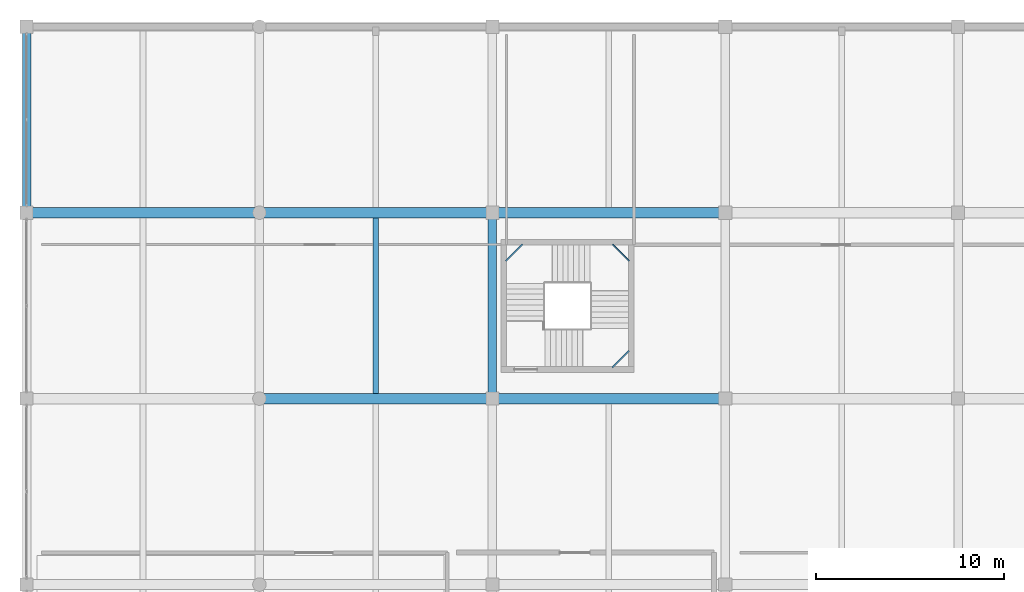
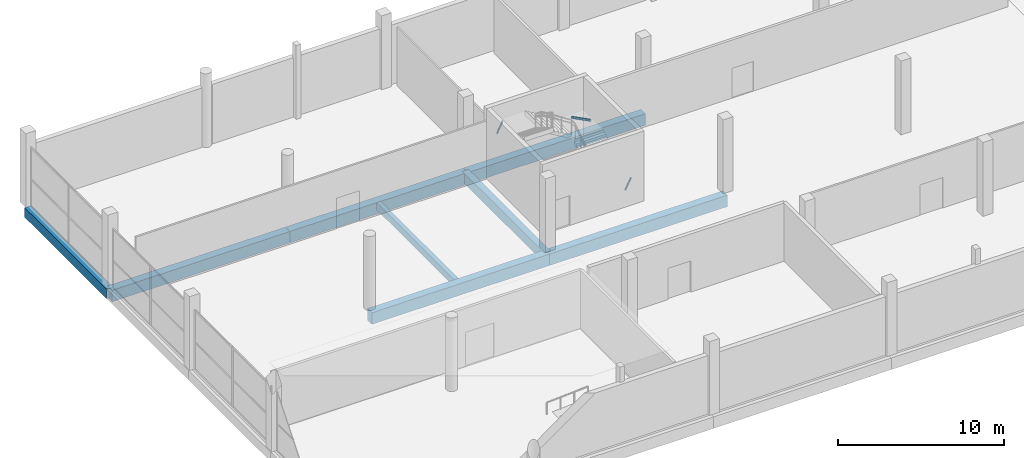
# One storey, part 26 of 72: 11 beams.
"""IFC4 building model written with IfcOpenShell, lengths in metres."""

from ifc_helpers import new_model, si_unit, direction, frame, origin, origin_2d, place, context, subcontext, project, spatial, rectangle, hollow_rectangle, extrude, material, material_profile, profile_set, type_object, element, save


model = new_model("IFC4")

# Units and contexts
model_context = context("Model", 3, precision=1e-05, world=origin(), true_north=direction((0.0, 1.0)))
body_context = subcontext(model_context, "Body", "Model", "MODEL_VIEW")
ifc_project = project(units=[si_unit("LENGTHUNIT", "METRE"), si_unit("AREAUNIT", "SQUARE_METRE"), si_unit("VOLUMEUNIT", "CUBIC_METRE"), si_unit("PLANEANGLEUNIT", "RADIAN"), si_unit("MASSUNIT", "GRAM", prefix="KILO")], contexts=[model_context])

# Site, building, storey
site_placement = place(None, origin())
site = spatial("IfcSite", under=ifc_project, at=site_placement, CompositionType="ELEMENT")
building_placement = place(site_placement, origin())
building = spatial("IfcBuilding", under=site, at=building_placement, Name="Sillaruma Civic Art Gallery", CompositionType="ELEMENT")
storey_placement = place(building_placement, frame((0.0, 0.0, 10.8798828125)))
storey = spatial("IfcBuildingStorey", under=building, at=storey_placement, Name="L02", CompositionType="ELEMENT", Elevation=10.8798828125)

# Beams
ifc_material_1 = material(Name="Concrete H40 (40 MPa)", Category="concrete")
ifc_material_profile_1 = material_profile(ifc_material_1, rectangle(XDim=0.449951171875, YDim=0.75, at=origin_2d()), Name="RCB450x750")
ifc_profile_set_1 = profile_set([ifc_material_profile_1], Name="Concrete H40 (40 MPa)")
beam_type_1 = type_object("IfcBeamType", Name="BM-BEAM-RCB450x750", PredefinedType="BEAM", material=ifc_profile_set_1)
beam_1_placement = place(storey_placement, frame((24.800048828125, 99.0, -0.634765625), z_axis=(0.0, 1.0, 0.0), x_axis=(-1.0, 0.0, 0.0)))
element("IfcBeam", 1, at=beam_1_placement, inside=storey, type_object=beam_type_1, Name="Beam BM-03 (L01:C:11-12)", PredefinedType="BEAM", context=body_context, shape_type="SweptSolid", body=[
    extrude(rectangle(XDim=0.449951171875, YDim=0.75, at=origin_2d()), origin(), (0.0, 0.0, 1.0), 9.89990234375),
])
ifc_material_profile_2 = material_profile(ifc_material_1, rectangle(XDim=0.550048828125, YDim=0.85009765625, at=origin_2d()), Name="RCB550x850")
ifc_profile_set_2 = profile_set([ifc_material_profile_2], Name="Concrete H40 (40 MPa)")
beam_type_2 = type_object("IfcBeamType", Name="BM-BEAM-RCB550x850", PredefinedType="BEAM", material=ifc_profile_set_2)
beam_2_placement = place(storey_placement, frame((12.39990234375, 99.0, -0.684814453125), z_axis=(1.0, 0.0, 0.0), x_axis=(0.0, 1.0, 0.0)))
element("IfcBeam", 2, at=beam_2_placement, inside=storey, type_object=beam_type_2, Name="Beam BM-01 (L01:11:B-C)", PredefinedType="BEAM", context=body_context, shape_type="SweptSolid", body=[
    extrude(rectangle(XDim=0.550048828125, YDim=0.85009765625, at=origin_2d()), origin(), (0.0, 0.0, 1.0), 12.400146484375),
])
for number, where, z_axis, x_axis, name in (
    (3, (24.800048828125, 99.0, -0.684814453125), (1.0, 0.0, 0.0), (0.0, 1.0, 0.0), "Beam BM-01 (L01:11:C-D)"),
    (4, (0.0, 108.89990234375, -0.684814453125), (1.0, 0.0, 0.0), (0.0, 1.0, 0.0), "Beam BM-01 (L01:12:A-B)"),
):
    element("IfcBeam", number, at=place(storey_placement, frame(where, z_axis=z_axis, x_axis=x_axis)), inside=storey, type_object=beam_type_2, Name=name, PredefinedType="BEAM", context=body_context, shape_type="SweptSolid", body=[
        extrude(rectangle(XDim=0.550048828125, YDim=0.85009765625, at=origin_2d()), origin(), (0.0, 0.0, 1.0), 12.39990234375),
    ])
beam_3_placement = place(storey_placement, frame((12.39990234375, 108.89990234375, -0.684814453125), z_axis=(1.0, 0.0, 0.0), x_axis=(0.0, 1.0, 0.0)))
element("IfcBeam", 5, at=beam_3_placement, inside=storey, type_object=beam_type_2, Name="Beam BM-01 (L01:12:B-C)", PredefinedType="BEAM", context=body_context, shape_type="SweptSolid", body=[
    extrude(rectangle(XDim=0.550048828125, YDim=0.85009765625, at=origin_2d()), origin(), (0.0, 0.0, 1.0), 12.400146484375),
])
beam_4_placement = place(storey_placement, frame((24.800048828125, 108.89990234375, -0.684814453125), z_axis=(1.0, 0.0, 0.0), x_axis=(0.0, 1.0, 0.0)))
element("IfcBeam", 6, at=beam_4_placement, inside=storey, type_object=beam_type_2, Name="Beam BM-01 (L01:12:C-D)", PredefinedType="BEAM", context=body_context, shape_type="SweptSolid", body=[
    extrude(rectangle(XDim=0.550048828125, YDim=0.85009765625, at=origin_2d()), origin(), (0.0, 0.0, 1.0), 12.39990234375),
])
ifc_material_2 = material(Name="Concrete H35 (35 MPa)", Category="concrete")
ifc_material_profile_3 = material_profile(ifc_material_2, rectangle(XDim=0.300048828125, YDim=0.52001953125, at=origin_2d()), Name="RCB300x520")
ifc_profile_set_3 = profile_set([ifc_material_profile_3], Name="Concrete H35 (35 MPa)")
beam_type_3 = type_object("IfcBeamType", Name="BM-JOIST-RCB300x520", PredefinedType="JOIST", material=ifc_profile_set_3)
beam_5_placement = place(storey_placement, frame((18.60009765625, 99.27490234375, -0.519775390625), z_axis=(0.0, 1.0, 0.0), x_axis=(-1.0, 0.0, 0.0)))
element("IfcBeam", 7, at=beam_5_placement, inside=storey, type_object=beam_type_3, Name="Floor Joist JR-01 (L01:BC:11-12)", PredefinedType="JOIST", context=body_context, shape_type="SweptSolid", body=[
    extrude(rectangle(XDim=0.300048828125, YDim=0.52001953125, at=origin_2d()), origin(), (0.0, 0.0, 1.0), 9.35009765625),
])
ifc_material_3 = material(Name="Structural Steel ASTM A500 Gr.C", Category="steel")
ifc_material_profile_4 = material_profile(ifc_material_3, hollow_rectangle(XDim=0.080078125, YDim=0.159912109375, WallThickness=0.008056640625, InnerFilletRadius=0.008056640625, OuterFilletRadius=0.01611328125, at=origin_2d()), Name="HSS160x80x8")
ifc_profile_set_4 = profile_set([ifc_material_profile_4], Name="Structural Steel ASTM A500 Gr.C")
beam_type_4 = type_object("IfcBeamType", Name="BM-LND-HSS160", PredefinedType="BEAM", material=ifc_profile_set_4)
for number, where, z_axis, x_axis, name in (
    (8, (31.18994140625, 100.659912109375, 1.080078125), (0.707106781187, 0.707106781187, 0.0), (-0.707106781187, 0.707106781187, 0.0), "Stair Corner Landing Trimmer Beam (ST-01-L02-1)"),
    (9, (31.18994140625, 107.219970703125, 2.440185546875), (0.707203758046, -0.707009791025, 0.0), (0.707009791025, 0.707203758046, 0.0), "Stair Corner Landing Trimmer Beam (ST-01-L02-2)"),
):
    element("IfcBeam", number, at=place(storey_placement, frame(where, z_axis=z_axis, x_axis=x_axis)), inside=storey, type_object=beam_type_4, Name=name, PredefinedType="BEAM", context=body_context, shape_type="SweptSolid", body=[
        extrude(hollow_rectangle(XDim=0.080078125, YDim=0.159912109375, WallThickness=0.008056640625, InnerFilletRadius=0.008056640625, OuterFilletRadius=0.01611328125, at=origin_2d()), origin(), (0.0, 0.0, 1.0), 1.2587890625),
    ])
beam_6_placement = place(storey_placement, frame((25.52001953125, 106.330078125, 3.800048828125), z_axis=(0.707106781187, 0.707106781187, 0.0), x_axis=(-0.707106781187, 0.707106781187, 0.0)))
element("IfcBeam", 10, at=beam_6_placement, inside=storey, type_object=beam_type_4, Name="Stair Corner Landing Trimmer Beam (ST-01-L02-3)", PredefinedType="BEAM", context=body_context, shape_type="SweptSolid", body=[
    extrude(hollow_rectangle(XDim=0.080078125, YDim=0.159912109375, WallThickness=0.008056640625, InnerFilletRadius=0.008056640625, OuterFilletRadius=0.01611328125, at=origin_2d()), origin(), (0.0, 0.0, 1.0), 1.258544921875),
])
ifc_material_profile_5 = material_profile(ifc_material_2, rectangle(XDim=0.449951171875, YDim=0.699951171875, at=origin_2d()), Name="RCB450x700")
ifc_profile_set_5 = profile_set([ifc_material_profile_5], Name="Concrete H35 (35 MPa)")
beam_type_5 = type_object("IfcBeamType", Name="BM-SPANDREL-RCB450x700", PredefinedType="SPANDREL", material=ifc_profile_set_5)
beam_7_placement = place(storey_placement, frame((0.0, 108.89990234375, -0.60986328125), z_axis=(0.0, 1.0, 0.0), x_axis=(-1.0, 0.0, 0.0)))
element("IfcBeam", 11, at=beam_7_placement, inside=storey, type_object=beam_type_5, Name="Beam BS-03 (L01:A:12-13)", PredefinedType="SPANDREL", context=body_context, shape_type="SweptSolid", body=[
    extrude(rectangle(XDim=0.449951171875, YDim=0.699951171875, at=origin_2d()), origin(), (0.0, 0.0, 1.0), 9.900146484375),
])

save(model, "model.ifc")
